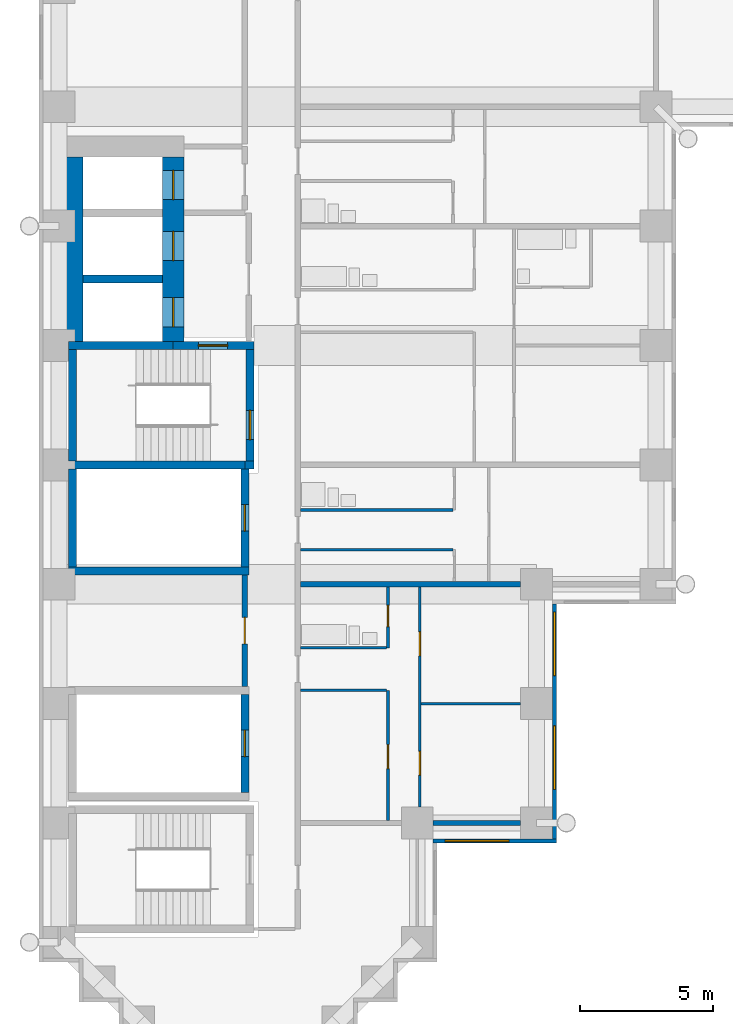
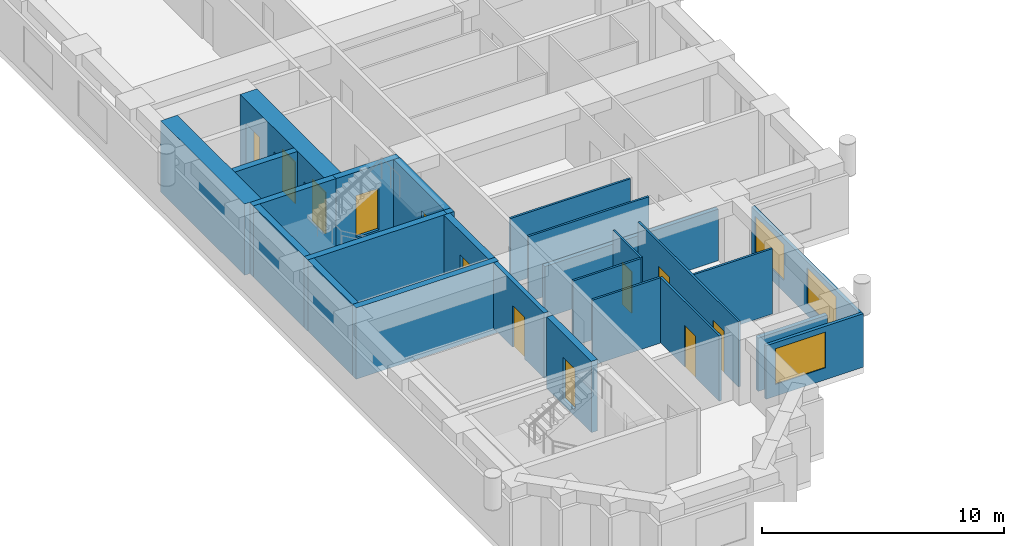
# One storey, part 5 of 14: 26 walls, 12 doors, 3 windows, 15 openings.
"""IFC4 building model written with IfcOpenShell, lengths in metres."""

from ifc_helpers import new_model, si_unit, direction, frame, frame_2d, origin, place, context, subcontext, project, spatial, rectangle, extrude, material, layer, layer_set, type_object, element, fill, save


model = new_model("IFC4")

# Units and contexts
model_context = context("Model", 3, precision=1e-05, world=origin(), true_north=direction((0.0, 1.0)))
body_context = subcontext(model_context, "Body", "Model", "MODEL_VIEW")
ifc_project = project(units=[si_unit("LENGTHUNIT", "METRE"), si_unit("AREAUNIT", "SQUARE_METRE"), si_unit("VOLUMEUNIT", "CUBIC_METRE"), si_unit("PLANEANGLEUNIT", "RADIAN"), si_unit("MASSUNIT", "GRAM", prefix="KILO")], contexts=[model_context])

# Site, building, storey
site_placement = place(None, origin())
site = spatial("IfcSite", under=ifc_project, at=site_placement, CompositionType="ELEMENT")
building_placement = place(site_placement, origin())
building = spatial("IfcBuilding", under=site, at=building_placement, Name="Firuza Court", CompositionType="ELEMENT")
storey_placement = place(building_placement, frame((0.0, 0.0, 90.199951171875)))
storey = spatial("IfcBuildingStorey", under=building, at=storey_placement, Name="L22", CompositionType="ELEMENT", Elevation=90.199951171875)

# Walls
ifc_material_1 = material(Name="Moisture-resistant gypsum board partition")
ifc_layer_1 = layer(ifc_material_1, 0.10009765625)
ifc_layer_set_1 = layer_set([ifc_layer_1], Name="Moisture-resistant gypsum board partition")
wall_type_1 = type_object("IfcWallType", Name="Bathroom partition 100", PredefinedType="PLUMBINGWALL", material=ifc_layer_set_1)
wall_1_placement = place(storey_placement, frame((9.10009765625, 15.60009765625, 0.0), z_axis=(0.0, 0.0, 1.0), x_axis=(1.0, 0.0, 0.0)))
element("IfcWall", 1, at=wall_1_placement, inside=storey, type_object=wall_type_1, Name="Bathroom partition 100 L22", PredefinedType="PLUMBINGWALL", context=body_context, shape_type="SweptSolid", body=[
    extrude(rectangle(XDim=3.25, YDim=0.10009765625, at=frame_2d((1.625, 0.0))), origin(), (0.0, 0.0, 1.0), 3.300048828125),
])
wall_2_placement = place(storey_placement, frame((9.10009765625, 20.800048828125, 0.0), z_axis=(0.0, 0.0, 1.0), x_axis=(1.0, 0.0, 0.0)))
element("IfcWall", 2, at=wall_2_placement, inside=storey, type_object=wall_type_1, Name="Bathroom partition 100 L22", PredefinedType="PLUMBINGWALL", context=body_context, shape_type="SweptSolid", body=[
    extrude(rectangle(XDim=5.75, YDim=0.10009765625, at=frame_2d((2.875, 0.0))), origin(), (0.0, 0.0, 1.0), 3.300048828125),
])
ifc_material_2 = material(Name="Concrete C60/75", Category="concrete")
ifc_layer_2 = layer(ifc_material_2, 0.300048828125)
ifc_layer_set_2 = layer_set([ifc_layer_2], Name="Concrete C60/75")
wall_type_2 = type_object("IfcWallType", Name="Core wall 300 C60/75", PredefinedType="SHEAR", material=ifc_layer_set_2)
wall_3_placement = place(storey_placement, frame((0.35009765625, 18.5, -0.300048828125), z_axis=(0.0, 0.0, 1.0), x_axis=(1.0, 0.0, 0.0)))
element("IfcWall", 3, at=wall_3_placement, inside=storey, type_object=wall_type_2, Name="Core wall riser L22", PredefinedType="SHEAR", context=body_context, shape_type="SweptSolid", body=[
    extrude(rectangle(XDim=6.7998046875, YDim=0.300048828125, at=frame_2d((3.39990234375, 0.0))), origin(), (0.0, 0.0, 1.0), 3.60009765625),
])
wall_4_placement = place(storey_placement, frame((0.35009765625, 22.5, -0.300048828125), z_axis=(0.0, 0.0, 1.0), x_axis=(1.0, 0.0, 0.0)))
element("IfcWall", 4, at=wall_4_placement, inside=storey, type_object=wall_type_2, Name="Core wall riser L22", PredefinedType="SHEAR", context=body_context, shape_type="SweptSolid", body=[
    extrude(rectangle(XDim=6.64990234375, YDim=0.300048828125, at=frame_2d((3.324951171875, 0.0))), origin(), (0.0, 0.0, 1.0), 3.60009765625),
])
wall_5_placement = place(storey_placement, frame((0.35009765625, 27.0, -0.300048828125), z_axis=(0.0, 0.0, 1.0), x_axis=(1.0, 0.0, 0.0)))
element("IfcWall", 5, at=wall_5_placement, inside=storey, type_object=wall_type_2, Name="Core wall lift shaft L22", PredefinedType="SHEAR", context=body_context, shape_type="SweptSolid", body=[
    extrude(rectangle(XDim=3.949951171875, YDim=0.300048828125, at=frame_2d((1.97509765625, 0.0))), origin(), (0.0, 0.0, 1.0), 3.60009765625),
])
wall_6_placement = place(storey_placement, frame((0.5, 18.64990234375, -0.300048828125), z_axis=(0.0, 0.0, 1.0), x_axis=(0.0, 1.0, 0.0)))
element("IfcWall", 6, at=wall_6_placement, inside=storey, type_object=wall_type_2, Name="Core wall riser L22", PredefinedType="SHEAR", context=body_context, shape_type="SweptSolid", body=[
    extrude(rectangle(XDim=3.7001953125, YDim=0.300048828125, at=frame_2d((1.85009765625, 0.0))), origin(), (0.0, 0.0, 1.0), 3.60009765625),
])
wall_7_placement = place(storey_placement, frame((0.5, 22.64990234375, -0.300048828125), z_axis=(0.0, 0.0, 1.0), x_axis=(0.0, 1.0, 0.0)))
element("IfcWall", 7, at=wall_7_placement, inside=storey, type_object=wall_type_2, Name="Core wall stair L22", PredefinedType="SHEAR", context=body_context, shape_type="SweptSolid", body=[
    extrude(rectangle(XDim=4.2001953125, YDim=0.300048828125, at=frame_2d((2.10009765625, 0.0))), origin(), (0.0, 0.0, 1.0), 3.60009765625),
])
wall_8_placement = place(storey_placement, frame((0.89990234375, 29.5, -0.300048828125), z_axis=(0.0, 0.0, 1.0), x_axis=(1.0, 0.0, 0.0)))
element("IfcWall", 8, at=wall_8_placement, inside=storey, type_object=wall_type_2, Name="Core wall lift shaft L22", PredefinedType="SHEAR", context=body_context, shape_type="SweptSolid", body=[
    extrude(rectangle(XDim=3.0, YDim=0.300048828125, at=frame_2d((1.5, 0.0))), origin(), (0.0, 0.0, 1.0), 3.60009765625),
])

# Wall, opening, door
wall_9_placement = place(storey_placement, frame((4.300048828125, 27.0, -0.300048828125), z_axis=(0.0, 0.0, 1.0), x_axis=(1.0, 0.0, 0.0)))
wall_9 = element("IfcWall", 9, at=wall_9_placement, inside=storey, type_object=wall_type_2, Name="Core wall stair L22", PredefinedType="SHEAR", context=body_context, shape_type="SweptSolid", body=[
    extrude(rectangle(XDim=3.050048828125, YDim=0.300048828125, at=frame_2d((1.52490234375, 0.0))), origin(), (0.0, 0.0, 1.0), 3.60009765625),
])
opening_1_placement = place(wall_9_placement, frame((0.949951171875, 0.0, 0.300048828125)))
opening_1 = element("IfcOpeningElement", 10, at=opening_1_placement, cuts=wall_9, Name="Opening D22014", PredefinedType="OPENING", context=body_context, shape_type="SweptSolid", body=[
    extrude(rectangle(XDim=1.10009765625, YDim=2.10009765625, at=frame_2d((0.550048828125, 1.050048828125))), frame((0.0, 0.162109375, 0.0), z_axis=(0.0, -1.0, 0.0), x_axis=(1.0, 0.0, 0.0)), (0.0, 0.0, 1.0), 0.323974609375),
])
ifc_material_3 = material(Name="Timber door leaf in hardwood frame", Category="wood")
door_type_1 = type_object("IfcDoorType", Name="Stair door 1100", OperationType="SINGLE_SWING_LEFT", PredefinedType="DOOR", material=ifc_material_3)
door_1_placement = place(opening_1_placement, frame((1.10009765625, 0.0, 0.0), z_axis=(0.0, 0.0, 1.0), x_axis=(-1.0, 0.0, 0.0)))
door_1 = element("IfcDoor", 11, at=door_1_placement, inside=storey, type_object=door_type_1, Name="Fire-fighting lobby door", OperationType="SINGLE_SWING_LEFT", OverallHeight=2.10009765625, OverallWidth=1.10009765625, PredefinedType="DOOR", context=body_context, shape_type="SweptSolid", body=[
    extrude(rectangle(XDim=1.10009765625, YDim=2.10009765625, at=frame_2d((0.550048828125, 1.050048828125))), frame((0.0, 0.02490234375, 0.0), z_axis=(0.0, -1.0, 0.0), x_axis=(1.0, 0.0, 0.0)), (0.0, 0.0, 1.0), 0.050048828125),
])
fill(opening_1, door_1)

wall_10_placement = place(storey_placement, frame((7.0, 10.14990234375, -0.300048828125), z_axis=(0.0, 0.0, 1.0), x_axis=(0.0, 1.0, 0.0)))
wall_10 = element("IfcWall", 12, at=wall_10_placement, inside=storey, type_object=wall_type_2, Name="Core wall riser L22", PredefinedType="SHEAR", context=body_context, shape_type="SweptSolid", body=[
    extrude(rectangle(XDim=3.7001953125, YDim=0.300048828125, at=frame_2d((1.85009765625, 0.0))), origin(), (0.0, 0.0, 1.0), 3.60009765625),
])
opening_2_placement = place(wall_10_placement, frame((1.35009765625, 0.0, 0.300048828125)))
opening_2 = element("IfcOpeningElement", 13, at=opening_2_placement, cuts=wall_10, Name="Opening D22012", PredefinedType="OPENING", context=body_context, shape_type="SweptSolid", body=[
    extrude(rectangle(XDim=1.0, YDim=2.10009765625, at=frame_2d((0.5, 1.050048828125))), frame((0.0, 0.162109375, 0.0), z_axis=(0.0, -1.0, 0.0), x_axis=(1.0, 0.0, 0.0)), (0.0, 0.0, 1.0), 0.323974609375),
])
ifc_material_4 = material(Name="Timber door leaf in hardwood frame", Category="wood")
door_type_2 = type_object("IfcDoorType", Name="Riser door 1000", OperationType="SINGLE_SWING_LEFT", PredefinedType="DOOR", material=ifc_material_4)
door_2_placement = place(opening_2_placement, origin())
door_2 = element("IfcDoor", 14, at=door_2_placement, inside=storey, type_object=door_type_2, Name="Riser door R4", OperationType="SINGLE_SWING_LEFT", OverallHeight=2.10009765625, OverallWidth=1.0, PredefinedType="DOOR", context=body_context, shape_type="SweptSolid", body=[
    extrude(rectangle(XDim=1.0, YDim=2.10009765625, at=frame_2d((0.5, 1.050048828125))), frame((0.0, 0.02490234375, 0.0), z_axis=(0.0, -1.0, 0.0), x_axis=(1.0, 0.0, 0.0)), (0.0, 0.0, 1.0), 0.050048828125),
])
fill(opening_2, door_2)

wall_11_placement = place(storey_placement, frame((7.0, 18.64990234375, -0.300048828125), z_axis=(0.0, 0.0, 1.0), x_axis=(0.0, 1.0, 0.0)))
wall_11 = element("IfcWall", 15, at=wall_11_placement, inside=storey, type_object=wall_type_2, Name="Core wall riser L22", PredefinedType="SHEAR", context=body_context, shape_type="SweptSolid", body=[
    extrude(rectangle(XDim=3.7001953125, YDim=0.300048828125, at=frame_2d((1.85009765625, 0.0))), origin(), (0.0, 0.0, 1.0), 3.60009765625),
])
opening_3_placement = place(wall_11_placement, frame((1.35009765625, 0.0, 0.300048828125)))
opening_3 = element("IfcOpeningElement", 16, at=opening_3_placement, cuts=wall_11, Name="Opening D22010", PredefinedType="OPENING", context=body_context, shape_type="SweptSolid", body=[
    extrude(rectangle(XDim=1.0, YDim=2.10009765625, at=frame_2d((0.5, 1.050048828125))), frame((0.0, 0.162109375, 0.0), z_axis=(0.0, -1.0, 0.0), x_axis=(1.0, 0.0, 0.0)), (0.0, 0.0, 1.0), 0.323974609375),
])
door_3_placement = place(opening_3_placement, origin())
door_3 = element("IfcDoor", 17, at=door_3_placement, inside=storey, type_object=door_type_2, Name="Riser door R1", OperationType="SINGLE_SWING_LEFT", OverallHeight=2.10009765625, OverallWidth=1.0, PredefinedType="DOOR", context=body_context, shape_type="SweptSolid", body=[
    extrude(rectangle(XDim=1.0, YDim=2.10009765625, at=frame_2d((0.5, 1.050048828125))), frame((0.0, 0.02490234375, 0.0), z_axis=(0.0, -1.0, 0.0), x_axis=(1.0, 0.0, 0.0)), (0.0, 0.0, 1.0), 0.050048828125),
])
fill(opening_3, door_3)

# Wall
wall_12_placement = place(storey_placement, frame((7.0, 22.5, -0.300048828125), z_axis=(0.0, 0.0, 1.0), x_axis=(1.0, 0.0, 0.0)))
element("IfcWall", 18, at=wall_12_placement, inside=storey, type_object=wall_type_2, Name="Core wall stair L22", PredefinedType="SHEAR", context=body_context, shape_type="SweptSolid", body=[
    extrude(rectangle(XDim=0.35009765625, YDim=0.300048828125, at=frame_2d((0.175048828125, 0.0))), origin(), (0.0, 0.0, 1.0), 3.60009765625),
])

# Wall, opening, door
wall_13_placement = place(storey_placement, frame((7.199951171875, 22.64990234375, -0.300048828125), z_axis=(0.0, 0.0, 1.0), x_axis=(0.0, 1.0, 0.0)))
wall_13 = element("IfcWall", 19, at=wall_13_placement, inside=storey, type_object=wall_type_2, Name="Core wall stair L22", PredefinedType="SHEAR", context=body_context, shape_type="SweptSolid", body=[
    extrude(rectangle(XDim=4.2001953125, YDim=0.300048828125, at=frame_2d((2.10009765625, 0.0))), origin(), (0.0, 0.0, 1.0), 3.60009765625),
])
opening_4_placement = place(wall_13_placement, frame((0.800048828125, 0.0, 0.300048828125)))
opening_4 = element("IfcOpeningElement", 20, at=opening_4_placement, cuts=wall_13, Name="Opening D22015", PredefinedType="OPENING", context=body_context, shape_type="SweptSolid", body=[
    extrude(rectangle(XDim=1.10009765625, YDim=2.10009765625, at=frame_2d((0.550048828125, 1.050048828125))), frame((0.0, 0.162109375, 0.0), z_axis=(0.0, -1.0, 0.0), x_axis=(1.0, 0.0, 0.0)), (0.0, 0.0, 1.0), 0.323974609375),
])
door_4_placement = place(opening_4_placement, origin())
door_4 = element("IfcDoor", 21, at=door_4_placement, inside=storey, type_object=door_type_1, Name="Stair door S2", OperationType="SINGLE_SWING_LEFT", OverallHeight=2.10009765625, OverallWidth=1.10009765625, PredefinedType="DOOR", context=body_context, shape_type="SweptSolid", body=[
    extrude(rectangle(XDim=1.10009765625, YDim=2.10009765625, at=frame_2d((0.550048828125, 1.050048828125))), frame((0.0, 0.02490234375, 0.0), z_axis=(0.0, -1.0, 0.0), x_axis=(1.0, 0.0, 0.0)), (0.0, 0.0, 1.0), 0.050048828125),
])
fill(opening_4, door_4)

# Wall
ifc_layer_3 = layer(ifc_material_2, 0.800048828125)
ifc_layer_set_3 = layer_set([ifc_layer_3], Name="Concrete C60/75")
wall_type_3 = type_object("IfcWallType", Name="Core wall 800 C60/75", PredefinedType="SHEAR", material=ifc_layer_set_3)
wall_14_placement = place(storey_placement, frame((0.5, 27.14990234375, -0.300048828125), z_axis=(0.0, 0.0, 1.0), x_axis=(0.0, 1.0, 0.0)))
element("IfcWall", 22, at=wall_14_placement, inside=storey, type_object=wall_type_3, Name="Core wall lift shaft L22", PredefinedType="SHEAR", context=body_context, shape_type="SweptSolid", body=[
    extrude(rectangle(XDim=6.9501953125, YDim=0.800048828125, at=frame_2d((3.47509765625, 0.0))), origin(), (0.0, 0.0, 1.0), 3.60009765625),
])

# Wall, openings, doors
wall_15_placement = place(storey_placement, frame((4.300048828125, 27.14990234375, -0.300048828125), z_axis=(0.0, 0.0, 1.0), x_axis=(0.0, 1.0, 0.0)))
wall_15 = element("IfcWall", 23, at=wall_15_placement, inside=storey, type_object=wall_type_3, Name="Core wall lift shaft L22", PredefinedType="SHEAR", context=body_context, shape_type="SweptSolid", body=[
    extrude(rectangle(XDim=6.9501953125, YDim=0.800048828125, at=frame_2d((3.47509765625, 0.0))), origin(), (0.0, 0.0, 1.0), 3.60009765625),
])
opening_5_placement = place(wall_15_placement, frame((3.050048828125, 0.0, 0.300048828125)))
opening_5 = element("IfcOpeningElement", 24, at=opening_5_placement, cuts=wall_15, Name="Opening LD-FL1-22", PredefinedType="OPENING", context=body_context, shape_type="SweptSolid", body=[
    extrude(rectangle(XDim=1.10009765625, YDim=2.10009765625, at=frame_2d((0.550048828125, 1.050048828125))), frame((0.0, 0.412109375, 0.0), z_axis=(0.0, -1.0, 0.0), x_axis=(1.0, 0.0, 0.0)), (0.0, 0.0, 1.0), 0.823974609375),
])
opening_6_placement = place(wall_15_placement, frame((0.550048828125, 0.0, 0.300048828125)))
opening_6 = element("IfcOpeningElement", 25, at=opening_6_placement, cuts=wall_15, Name="Opening LD-FL2-22", PredefinedType="OPENING", context=body_context, shape_type="SweptSolid", body=[
    extrude(rectangle(XDim=1.10009765625, YDim=2.10009765625, at=frame_2d((0.550048828125, 1.050048828125))), frame((0.0, 0.412109375, 0.0), z_axis=(0.0, -1.0, 0.0), x_axis=(1.0, 0.0, 0.0)), (0.0, 0.0, 1.0), 0.823974609375),
])
opening_7_placement = place(wall_15_placement, frame((5.35009765625, 0.0, 0.300048828125)))
opening_7 = element("IfcOpeningElement", 26, at=opening_7_placement, cuts=wall_15, Name="Opening LD-SL1-22", PredefinedType="OPENING", context=body_context, shape_type="SweptSolid", body=[
    extrude(rectangle(XDim=1.10009765625, YDim=2.10009765625, at=frame_2d((0.550048828125, 1.050048828125))), frame((0.0, 0.412109375, 0.0), z_axis=(0.0, -1.0, 0.0), x_axis=(1.0, 0.0, 0.0)), (0.0, 0.0, 1.0), 0.823974609375),
])
ifc_material_5 = material(Name="Stainless steel 1.4301 door leaf", Category="steel")
door_type_3 = type_object("IfcDoorType", Name="Lift landing door 1100", OperationType="SLIDING_TO_LEFT", PredefinedType="DOOR", material=ifc_material_5)
door_5_placement = place(opening_5_placement, origin())
door_5 = element("IfcDoor", 27, at=door_5_placement, inside=storey, type_object=door_type_3, Name="Landing door FL1", OperationType="SLIDING_TO_LEFT", OverallHeight=2.10009765625, OverallWidth=1.10009765625, PredefinedType="DOOR", context=body_context, shape_type="SweptSolid", body=[
    extrude(rectangle(XDim=1.10009765625, YDim=2.10009765625, at=frame_2d((0.550048828125, 1.050048828125))), frame((0.0, 0.02490234375, 0.0), z_axis=(0.0, -1.0, 0.0), x_axis=(1.0, 0.0, 0.0)), (0.0, 0.0, 1.0), 0.050048828125),
])
fill(opening_5, door_5)
door_6_placement = place(opening_6_placement, origin())
door_6 = element("IfcDoor", 28, at=door_6_placement, inside=storey, type_object=door_type_3, Name="Landing door FL2", OperationType="SLIDING_TO_LEFT", OverallHeight=2.10009765625, OverallWidth=1.10009765625, PredefinedType="DOOR", context=body_context, shape_type="SweptSolid", body=[
    extrude(rectangle(XDim=1.10009765625, YDim=2.10009765625, at=frame_2d((0.550048828125, 1.050048828125))), frame((0.0, 0.02490234375, 0.0), z_axis=(0.0, -1.0, 0.0), x_axis=(1.0, 0.0, 0.0)), (0.0, 0.0, 1.0), 0.050048828125),
])
fill(opening_6, door_6)
door_7_placement = place(opening_7_placement, origin())
door_7 = element("IfcDoor", 29, at=door_7_placement, inside=storey, type_object=door_type_3, Name="Landing door SL1", OperationType="SLIDING_TO_LEFT", OverallHeight=2.10009765625, OverallWidth=1.10009765625, PredefinedType="DOOR", context=body_context, shape_type="SweptSolid", body=[
    extrude(rectangle(XDim=1.10009765625, YDim=2.10009765625, at=frame_2d((0.550048828125, 1.050048828125))), frame((0.0, 0.02490234375, 0.0), z_axis=(0.0, -1.0, 0.0), x_axis=(1.0, 0.0, 0.0)), (0.0, 0.0, 1.0), 0.050048828125),
])
fill(opening_7, door_7)

# Wall, opening, door
ifc_material_6 = material(Name="Blockwork, plastered both sides", Category="masonry")
ifc_layer_4 = layer(ifc_material_6, 0.199951171875)
ifc_layer_set_4 = layer_set([ifc_layer_4], Name="Blockwork, plastered both sides")
wall_type_4 = type_object("IfcWallType", Name="Corridor wall 200", PredefinedType="PARTITIONING", material=ifc_layer_set_4)
wall_16_placement = place(storey_placement, frame((7.0, 14.14990234375, 0.0), z_axis=(0.0, 0.0, 1.0), x_axis=(0.0, 1.0, 0.0)))
wall_16 = element("IfcWall", 30, at=wall_16_placement, inside=storey, type_object=wall_type_4, Name="Corridor wall 200 L22", PredefinedType="PARTITIONING", context=body_context, shape_type="SweptSolid", body=[
    extrude(rectangle(XDim=4.2001953125, YDim=0.199951171875, at=frame_2d((2.10009765625, 0.0))), origin(), (0.0, 0.0, 1.0), 3.300048828125),
])
opening_8_placement = place(wall_16_placement, frame((1.60009765625, 0.0, 0.0)))
opening_8 = element("IfcOpeningElement", 31, at=opening_8_placement, cuts=wall_16, Name="Opening D22028", PredefinedType="OPENING", context=body_context, shape_type="SweptSolid", body=[
    extrude(rectangle(XDim=1.0, YDim=2.10009765625, at=frame_2d((0.5, 1.050048828125))), frame((0.0, 0.11181640625, 0.0), z_axis=(0.0, -1.0, 0.0), x_axis=(1.0, 0.0, 0.0)), (0.0, 0.0, 1.0), 0.223876953125),
])
ifc_material_7 = material(Name="Timber door leaf in hardwood frame", Category="wood")
door_type_4 = type_object("IfcDoorType", Name="Store door 1000", OperationType="SINGLE_SWING_LEFT", PredefinedType="DOOR", material=ifc_material_7)
door_8_placement = place(opening_8_placement, origin())
door_8 = element("IfcDoor", 32, at=door_8_placement, inside=storey, type_object=door_type_4, Name="Electrical room door", OperationType="SINGLE_SWING_LEFT", OverallHeight=2.10009765625, OverallWidth=1.0, PredefinedType="DOOR", context=body_context, shape_type="SweptSolid", body=[
    extrude(rectangle(XDim=1.0, YDim=2.10009765625, at=frame_2d((0.5, 1.050048828125))), frame((0.0, 0.02490234375, 0.0), z_axis=(0.0, -1.0, 0.0), x_axis=(1.0, 0.0, 0.0)), (0.0, 0.0, 1.0), 0.050048828125),
])
fill(opening_8, door_8)

ifc_material_8 = material(Name="Timber stud partition, plasterboard both sides", Category="wood")
ifc_layer_5 = layer(ifc_material_8, 0.10009765625)
ifc_layer_set_5 = layer_set([ifc_layer_5], Name="Timber stud partition, plasterboard both sides")
wall_type_5 = type_object("IfcWallType", Name="Partition wall 100", PredefinedType="PARTITIONING", material=ifc_layer_set_5)
wall_17_placement = place(storey_placement, frame((12.39990234375, 9.10009765625, 0.0), z_axis=(0.0, 0.0, 1.0), x_axis=(0.0, 1.0, 0.0)))
wall_17 = element("IfcWall", 33, at=wall_17_placement, inside=storey, type_object=wall_type_5, Name="Partition wall 100 L22", PredefinedType="PARTITIONING", context=body_context, shape_type="SweptSolid", body=[
    extrude(rectangle(XDim=4.89990234375, YDim=0.10009765625, at=frame_2d((2.449951171875, 0.0))), origin(), (0.0, 0.0, 1.0), 3.300048828125),
])
opening_9_placement = place(wall_17_placement, frame((1.949951171875, 0.0, 0.0)))
opening_9 = element("IfcOpeningElement", 34, at=opening_9_placement, cuts=wall_17, Name="Opening D22025", PredefinedType="OPENING", context=body_context, shape_type="SweptSolid", body=[
    extrude(rectangle(XDim=0.89990234375, YDim=2.10009765625, at=frame_2d((0.449951171875, 1.050048828125))), frame((0.0, 0.06201171875, 0.0), z_axis=(0.0, -1.0, 0.0), x_axis=(1.0, 0.0, 0.0)), (0.0, 0.0, 1.0), 0.1240234375),
])
ifc_material_9 = material(Name="Timber door leaf in hardwood frame", Category="wood")
door_type_5 = type_object("IfcDoorType", Name="Room door 900", OperationType="SINGLE_SWING_LEFT", PredefinedType="DOOR", material=ifc_material_9)
door_9_placement = place(opening_9_placement, origin())
door_9 = element("IfcDoor", 35, at=door_9_placement, inside=storey, type_object=door_type_5, Name="Kitchen door", OperationType="SINGLE_SWING_LEFT", OverallHeight=2.10009765625, OverallWidth=0.89990234375, PredefinedType="DOOR", context=body_context, shape_type="SweptSolid", body=[
    extrude(rectangle(XDim=0.89990234375, YDim=2.10009765625, at=frame_2d((0.449951171875, 1.050048828125))), frame((0.0, 0.02490234375, 0.0), z_axis=(0.0, -1.0, 0.0), x_axis=(1.0, 0.0, 0.0)), (0.0, 0.0, 1.0), 0.050048828125),
])
fill(opening_9, door_9)

# Wall, openings, doors
wall_18_placement = place(storey_placement, frame((13.60009765625, 9.60009765625, 0.0), z_axis=(0.0, 0.0, 1.0), x_axis=(0.0, 1.0, 0.0)))
wall_18 = element("IfcWall", 36, at=wall_18_placement, inside=storey, type_object=wall_type_5, Name="Partition wall 100 L22", PredefinedType="PARTITIONING", context=body_context, shape_type="SweptSolid", body=[
    extrude(rectangle(XDim=8.2998046875, YDim=0.10009765625, at=frame_2d((4.14990234375, 0.0))), origin(), (0.0, 0.0, 1.0), 3.300048828125),
])
opening_10_placement = place(wall_18_placement, frame((1.199951171875, 0.0, 0.0)))
opening_10 = element("IfcOpeningElement", 37, at=opening_10_placement, cuts=wall_18, Name="Opening D22026", PredefinedType="OPENING", context=body_context, shape_type="SweptSolid", body=[
    extrude(rectangle(XDim=0.89990234375, YDim=2.10009765625, at=frame_2d((0.449951171875, 1.050048828125))), frame((0.0, 0.06201171875, 0.0), z_axis=(0.0, -1.0, 0.0), x_axis=(1.0, 0.0, 0.0)), (0.0, 0.0, 1.0), 0.1240234375),
])
opening_11_placement = place(wall_18_placement, frame((5.699951171875, 0.0, 0.0)))
opening_11 = element("IfcOpeningElement", 38, at=opening_11_placement, cuts=wall_18, Name="Opening D22027", PredefinedType="OPENING", context=body_context, shape_type="SweptSolid", body=[
    extrude(rectangle(XDim=0.89990234375, YDim=2.10009765625, at=frame_2d((0.449951171875, 1.050048828125))), frame((0.0, 0.06201171875, 0.0), z_axis=(0.0, -1.0, 0.0), x_axis=(1.0, 0.0, 0.0)), (0.0, 0.0, 1.0), 0.1240234375),
])
door_10_placement = place(opening_10_placement, frame((0.89990234375, 0.0, 0.0), z_axis=(0.0, 0.0, 1.0), x_axis=(-1.0, 0.0, 0.0)))
door_10 = element("IfcDoor", 39, at=door_10_placement, inside=storey, type_object=door_type_5, Name="Living room door", OperationType="SINGLE_SWING_RIGHT", OverallHeight=2.10009765625, OverallWidth=0.89990234375, PredefinedType="DOOR", context=body_context, shape_type="SweptSolid", body=[
    extrude(rectangle(XDim=0.89990234375, YDim=2.10009765625, at=frame_2d((0.449951171875, 1.050048828125))), frame((0.0, 0.02490234375, 0.0), z_axis=(0.0, -1.0, 0.0), x_axis=(1.0, 0.0, 0.0)), (0.0, 0.0, 1.0), 0.050048828125),
])
fill(opening_10, door_10)
door_11_placement = place(opening_11_placement, frame((0.89990234375, 0.0, 0.0), z_axis=(0.0, 0.0, 1.0), x_axis=(-1.0, 0.0, 0.0)))
door_11 = element("IfcDoor", 40, at=door_11_placement, inside=storey, type_object=door_type_5, Name="Bedroom door", OperationType="SINGLE_SWING_RIGHT", OverallHeight=2.10009765625, OverallWidth=0.89990234375, PredefinedType="DOOR", context=body_context, shape_type="SweptSolid", body=[
    extrude(rectangle(XDim=0.89990234375, YDim=2.10009765625, at=frame_2d((0.449951171875, 1.050048828125))), frame((0.0, 0.02490234375, 0.0), z_axis=(0.0, -1.0, 0.0), x_axis=(1.0, 0.0, 0.0)), (0.0, 0.0, 1.0), 0.050048828125),
])
fill(opening_11, door_11)

# Walls
wall_19_placement = place(storey_placement, frame((13.64990234375, 13.5, 0.0), z_axis=(0.0, 0.0, 1.0), x_axis=(1.0, 0.0, 0.0)))
element("IfcWall", 41, at=wall_19_placement, inside=storey, type_object=wall_type_5, Name="Partition wall 100 L22", PredefinedType="PARTITIONING", context=body_context, shape_type="SweptSolid", body=[
    extrude(rectangle(XDim=3.75, YDim=0.10009765625, at=frame_2d((1.875, 0.0))), origin(), (0.0, 0.0, 1.0), 3.300048828125),
])
wall_20_placement = place(storey_placement, frame((9.10009765625, 14.0, 0.0), z_axis=(0.0, 0.0, 1.0), x_axis=(1.0, 0.0, 0.0)))
element("IfcWall", 42, at=wall_20_placement, inside=storey, type_object=wall_type_5, Name="Partition wall 100 L22", PredefinedType="PARTITIONING", context=body_context, shape_type="SweptSolid", body=[
    extrude(rectangle(XDim=3.25, YDim=0.10009765625, at=frame_2d((1.625, 0.0))), origin(), (0.0, 0.0, 1.0), 3.300048828125),
])

# Wall, opening, door
wall_21_placement = place(storey_placement, frame((12.39990234375, 15.60009765625, 0.0), z_axis=(0.0, 0.0, 1.0), x_axis=(0.0, 1.0, 0.0)))
wall_21 = element("IfcWall", 43, at=wall_21_placement, inside=storey, type_object=wall_type_5, Name="Partition wall 100 L22", PredefinedType="PARTITIONING", context=body_context, shape_type="SweptSolid", body=[
    extrude(rectangle(XDim=2.2998046875, YDim=0.10009765625, at=frame_2d((1.14990234375, 0.0))), origin(), (0.0, 0.0, 1.0), 3.300048828125),
])
opening_12_placement = place(wall_21_placement, frame((0.800048828125, 0.0, 0.0)))
opening_12 = element("IfcOpeningElement", 44, at=opening_12_placement, cuts=wall_21, Name="Opening D22029", PredefinedType="OPENING", context=body_context, shape_type="SweptSolid", body=[
    extrude(rectangle(XDim=0.800048828125, YDim=2.10009765625, at=frame_2d((0.39990234375, 1.050048828125))), frame((0.0, 0.06201171875, 0.0), z_axis=(0.0, -1.0, 0.0), x_axis=(1.0, 0.0, 0.0)), (0.0, 0.0, 1.0), 0.1240234375),
])
ifc_material_10 = material(Name="Timber door leaf in hardwood frame", Category="wood")
door_type_6 = type_object("IfcDoorType", Name="Bathroom door 800", OperationType="SINGLE_SWING_LEFT", PredefinedType="DOOR", material=ifc_material_10)
door_12_placement = place(opening_12_placement, origin())
door_12 = element("IfcDoor", 45, at=door_12_placement, inside=storey, type_object=door_type_6, Name="Bathroom door", OperationType="SINGLE_SWING_LEFT", OverallHeight=2.10009765625, OverallWidth=0.800048828125, PredefinedType="DOOR", context=body_context, shape_type="SweptSolid", body=[
    extrude(rectangle(XDim=0.800048828125, YDim=2.10009765625, at=frame_2d((0.39990234375, 1.050048828125))), frame((0.0, 0.02490234375, 0.0), z_axis=(0.0, -1.0, 0.0), x_axis=(1.0, 0.0, 0.0)), (0.0, 0.0, 1.0), 0.050048828125),
])
fill(opening_12, door_12)

# Walls
wall_22_placement = place(storey_placement, frame((9.10009765625, 19.300048828125, 0.0), z_axis=(0.0, 0.0, 1.0), x_axis=(1.0, 0.0, 0.0)))
element("IfcWall", 46, at=wall_22_placement, inside=storey, type_object=wall_type_5, Name="Partition wall 100 L22", PredefinedType="PARTITIONING", context=body_context, shape_type="SweptSolid", body=[
    extrude(rectangle(XDim=5.75, YDim=0.10009765625, at=frame_2d((2.875, 0.0))), origin(), (0.0, 0.0, 1.0), 3.300048828125),
])
ifc_layer_6 = layer(ifc_material_6, 0.199951171875)
ifc_layer_set_6 = layer_set([ifc_layer_6], Name="Blockwork, plastered both sides")
wall_type_6 = type_object("IfcWallType", Name="Party wall 200", PredefinedType="PARTITIONING", material=ifc_layer_set_6)
wall_23_placement = place(storey_placement, frame((14.10009765625, 9.0, 0.0), z_axis=(0.0, 0.0, 1.0), x_axis=(1.0, 0.0, 0.0)))
element("IfcWall", 47, at=wall_23_placement, inside=storey, type_object=wall_type_6, Name="Party wall 200 L22", PredefinedType="PARTITIONING", context=body_context, shape_type="SweptSolid", body=[
    extrude(rectangle(XDim=3.2998046875, YDim=0.199951171875, at=frame_2d((1.64990234375, 0.0))), origin(), (0.0, 0.0, 1.0), 2.699951171875),
])
wall_24_placement = place(storey_placement, frame((9.10009765625, 18.0, 0.0), z_axis=(0.0, 0.0, 1.0), x_axis=(1.0, 0.0, 0.0)))
element("IfcWall", 48, at=wall_24_placement, inside=storey, type_object=wall_type_6, Name="Party wall 200 L22", PredefinedType="PARTITIONING", context=body_context, shape_type="SweptSolid", body=[
    extrude(rectangle(XDim=8.2998046875, YDim=0.199951171875, at=frame_2d((4.14990234375, 0.0))), origin(), (0.0, 0.0, 1.0), 2.60009765625),
])

# Wall, opening, window
ifc_material_11 = material(Name="Ceramic tile", Category="ceramic")
ifc_layer_7 = layer(ifc_material_11, 0.02001953125)
ifc_material_12 = material(Name="Mineral wool insulation", Category="insulation")
ifc_layer_8 = layer(ifc_material_12, 0.050048828125)
ifc_material_13 = material(Name="Concrete C40/50 precast", Category="concrete")
ifc_layer_9 = layer(ifc_material_13, 0.080078125)
ifc_layer_set_7 = layer_set([ifc_layer_7, ifc_layer_8, ifc_layer_9], Name="Concrete C40/50 precast")
wall_type_7 = type_object("IfcWallType", Name="Precast cladding wall with turquoise TILE PANEL face 150", PredefinedType="STANDARD", material=ifc_layer_set_7)
wall_25_placement = place(storey_placement, frame((14.10009765625, 8.324951171875, 0.0), z_axis=(0.0, 0.0, 1.0), x_axis=(1.0, 0.0, 0.0)))
wall_25 = element("IfcWall", 49, at=wall_25_placement, inside=storey, type_object=wall_type_7, Name="Facade wall L22 S", PredefinedType="STANDARD", context=body_context, shape_type="SweptSolid", body=[
    extrude(rectangle(XDim=4.64990234375, YDim=0.14990234375, at=frame_2d((2.324951171875, 0.0))), origin(), (0.0, 0.0, 1.0), 2.699951171875),
])
opening_13_placement = place(wall_25_placement, frame((0.449951171875, 0.0, 0.60009765625)))
opening_13 = element("IfcOpeningElement", 50, at=opening_13_placement, cuts=wall_25, Name="Opening W1", PredefinedType="OPENING", context=body_context, shape_type="SweptSolid", body=[
    extrude(rectangle(XDim=2.39990234375, YDim=1.800048828125, at=frame_2d((1.199951171875, 0.89990234375))), frame((0.0, 0.0869140625, 0.0), z_axis=(0.0, -1.0, 0.0), x_axis=(1.0, 0.0, 0.0)), (0.0, 0.0, 1.0), 0.173828125),
])
ifc_material_14 = material(Name="Aluminium frame, triple clear glazing", Category="aluminium")
window_type = type_object("IfcWindowType", Name="Window W1 2400 x 1800", PartitioningType="SINGLE_PANEL", PredefinedType="WINDOW", material=ifc_material_14)
window_1_placement = place(opening_13_placement, origin())
window_1 = element("IfcWindow", 51, at=window_1_placement, inside=storey, type_object=window_type, Name="Window L22", OverallHeight=1.800048828125, OverallWidth=2.39990234375, PartitioningType="SINGLE_PANEL", PredefinedType="WINDOW", context=body_context, shape_type="SweptSolid", body=[
    extrude(rectangle(XDim=2.39990234375, YDim=1.800048828125, at=frame_2d((1.199951171875, 0.89990234375))), frame((0.0, 0.030029296875, 0.0), z_axis=(0.0, -1.0, 0.0), x_axis=(1.0, 0.0, 0.0)), (0.0, 0.0, 1.0), 0.06005859375),
])
fill(opening_13, window_1)

# Wall, openings, windows
wall_26_placement = place(storey_placement, frame((18.675048828125, 8.39990234375, 0.0), z_axis=(0.0, 0.0, 1.0), x_axis=(0.0, 1.0, 0.0)))
wall_26 = element("IfcWall", 52, at=wall_26_placement, inside=storey, type_object=wall_type_7, Name="Facade wall L22 E", PredefinedType="STANDARD", context=body_context, shape_type="SweptSolid", body=[
    extrude(rectangle(XDim=8.85009765625, YDim=0.14990234375, at=frame_2d((4.425048828125, 0.0))), origin(), (0.0, 0.0, 1.0), 2.699951171875),
])
opening_14_placement = place(wall_26_placement, frame((1.863525390625, 0.0, 0.60009765625)))
opening_14 = element("IfcOpeningElement", 53, at=opening_14_placement, cuts=wall_26, Name="Opening W1", PredefinedType="OPENING", context=body_context, shape_type="SweptSolid", body=[
    extrude(rectangle(XDim=2.39990234375, YDim=1.800048828125, at=frame_2d((1.199951171875, 0.89990234375))), frame((0.0, 0.0869140625, 0.0), z_axis=(0.0, -1.0, 0.0), x_axis=(1.0, 0.0, 0.0)), (0.0, 0.0, 1.0), 0.173828125),
])
opening_15_placement = place(wall_26_placement, frame((6.14990234375, 0.0, 0.60009765625)))
opening_15 = element("IfcOpeningElement", 54, at=opening_15_placement, cuts=wall_26, Name="Opening W1", PredefinedType="OPENING", context=body_context, shape_type="SweptSolid", body=[
    extrude(rectangle(XDim=2.39990234375, YDim=1.800048828125, at=frame_2d((1.199951171875, 0.89990234375))), frame((0.0, 0.0869140625, 0.0), z_axis=(0.0, -1.0, 0.0), x_axis=(1.0, 0.0, 0.0)), (0.0, 0.0, 1.0), 0.173828125),
])
window_2_placement = place(opening_14_placement, origin())
window_2 = element("IfcWindow", 55, at=window_2_placement, inside=storey, type_object=window_type, Name="Window L22", OverallHeight=1.800048828125, OverallWidth=2.39990234375, PartitioningType="SINGLE_PANEL", PredefinedType="WINDOW", context=body_context, shape_type="SweptSolid", body=[
    extrude(rectangle(XDim=2.39990234375, YDim=1.800048828125, at=frame_2d((1.199951171875, 0.89990234375))), frame((0.0, 0.030029296875, 0.0), z_axis=(0.0, -1.0, 0.0), x_axis=(1.0, 0.0, 0.0)), (0.0, 0.0, 1.0), 0.06005859375),
])
fill(opening_14, window_2)
window_3_placement = place(opening_15_placement, origin())
window_3 = element("IfcWindow", 56, at=window_3_placement, inside=storey, type_object=window_type, Name="Window L22", OverallHeight=1.800048828125, OverallWidth=2.39990234375, PartitioningType="SINGLE_PANEL", PredefinedType="WINDOW", context=body_context, shape_type="SweptSolid", body=[
    extrude(rectangle(XDim=2.39990234375, YDim=1.800048828125, at=frame_2d((1.199951171875, 0.89990234375))), frame((0.0, 0.030029296875, 0.0), z_axis=(0.0, -1.0, 0.0), x_axis=(1.0, 0.0, 0.0)), (0.0, 0.0, 1.0), 0.06005859375),
])
fill(opening_15, window_3)

save(model, "model.ifc")
